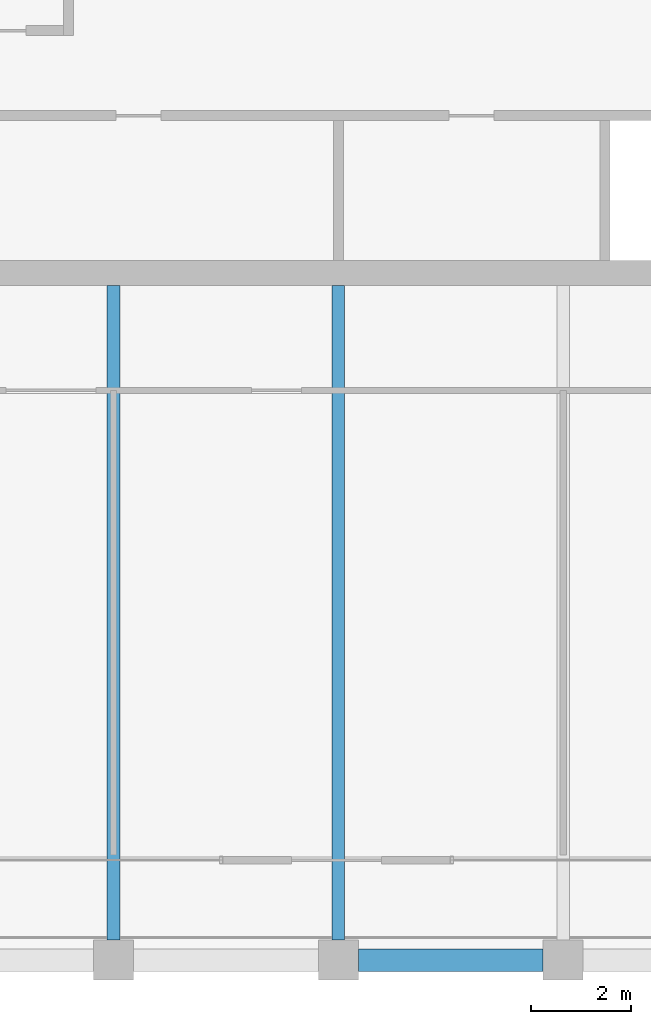
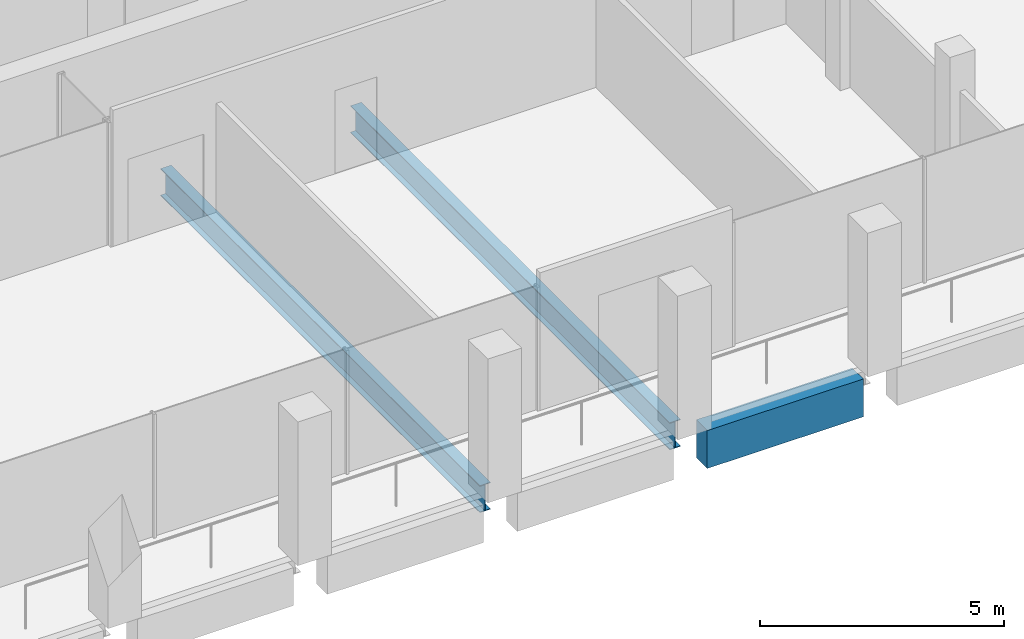
# One storey, part 8 of 40: 3 beams.
"""IFC4 building model written with IfcOpenShell, lengths in metres."""

from ifc_helpers import new_model, si_unit, direction, frame, origin, origin_2d, place, context, subcontext, project, spatial, rectangle, i_section, extrude, material, material_profile, profile_set, type_object, element, save


model = new_model("IFC4")

# Units and contexts
model_context = context("Model", 3, precision=1e-05, world=origin(), true_north=direction((0.0, 1.0)))
body_context = subcontext(model_context, "Body", "Model", "MODEL_VIEW")
ifc_project = project(units=[si_unit("LENGTHUNIT", "METRE"), si_unit("AREAUNIT", "SQUARE_METRE"), si_unit("VOLUMEUNIT", "CUBIC_METRE"), si_unit("PLANEANGLEUNIT", "RADIAN"), si_unit("MASSUNIT", "GRAM", prefix="KILO")], contexts=[model_context])

# Site, building, storey
site_placement = place(None, origin())
site = spatial("IfcSite", under=ifc_project, at=site_placement, CompositionType="ELEMENT")
building_placement = place(site_placement, origin())
building = spatial("IfcBuilding", under=site, at=building_placement, Name="Altepetl Exchange Towers", CompositionType="ELEMENT")
storey_placement = place(building_placement, frame((0.0, 0.0, 199.199951171875)))
storey = spatial("IfcBuildingStorey", under=building, at=storey_placement, Name="L50", CompositionType="ELEMENT", Elevation=199.199951171875)

# Beams
ifc_material_1 = material(Name="Steel S355", Category="steel")
ifc_material_profile_1 = material_profile(ifc_material_1, i_section(OverallWidth=0.2529296875, OverallDepth=0.677978515625, WebThickness=0.01171875, FlangeThickness=0.016357421875, at=origin_2d()), Name="W27X84")
ifc_profile_set_1 = profile_set([ifc_material_profile_1], Name="Steel S355")
beam_type_1 = type_object("IfcBeamType", Name="Floor beam W27X84", PredefinedType="BEAM", material=ifc_profile_set_1)
for number, where, z_axis, x_axis, name in (
    (1, (45.0, 27.39990234375, -0.489013671875), (0.0, 1.0, 0.0), (-1.0, 0.0, 0.0), "bm:A:L50:015"),
    (2, (49.5, 27.39990234375, -0.489013671875), (0.0, 1.0, 0.0), (-1.0, 0.0, 0.0), "bm:A:L50:016"),
):
    element("IfcBeam", number, at=place(storey_placement, frame(where, z_axis=z_axis, x_axis=x_axis)), inside=storey, type_object=beam_type_1, Name=name, PredefinedType="BEAM", context=body_context, shape_type="SweptSolid", body=[
        extrude(i_section(OverallWidth=0.2529296875, OverallDepth=0.677978515625, WebThickness=0.01171875, FlangeThickness=0.016357421875, at=origin_2d()), origin(), (0.0, 0.0, 1.0), 13.10009765625),
    ])
ifc_material_2 = material(Name="Concrete C50/60 precast with cantera blanca facing", Category="concrete")
ifc_material_profile_2 = material_profile(ifc_material_2, rectangle(XDim=0.449951171875, YDim=0.949951171875, at=origin_2d()), Name="450 x 950")
ifc_profile_set_2 = profile_set([ifc_material_profile_2], Name="Concrete C50/60 precast with cantera blanca facing")
beam_type_2 = type_object("IfcBeamType", Name="Spandrel beam 450x950 cantera blanca", PredefinedType="SPANDREL", material=ifc_profile_set_2)
beam_placement = place(storey_placement, frame((49.89990234375, 27.0, -0.625), z_axis=(1.0, 0.0, 0.0), x_axis=(0.0, 1.0, 0.0)))
element("IfcBeam", 3, at=beam_placement, inside=storey, type_object=beam_type_2, Name="sp:A:L50:004", PredefinedType="SPANDREL", context=body_context, shape_type="SweptSolid", body=[
    extrude(rectangle(XDim=0.449951171875, YDim=0.949951171875, at=origin_2d()), origin(), (0.0, 0.0, 1.0), 3.7001953125),
])

save(model, "model.ifc")
